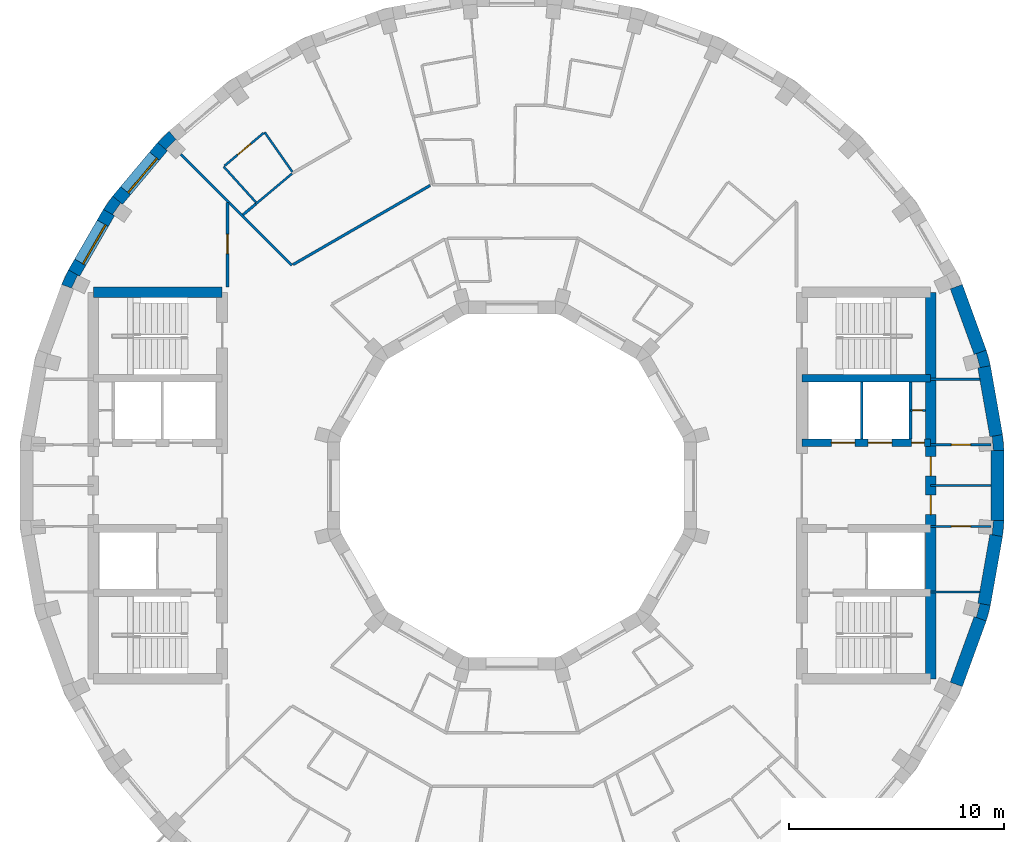
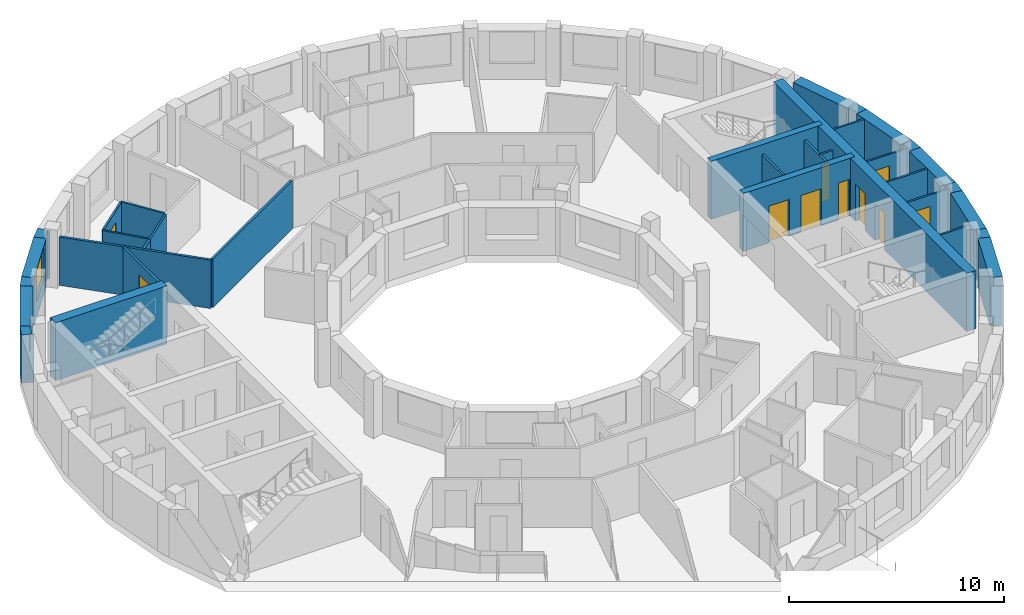
# One storey, part 8 of 12: 34 walls, 10 doors, 2 windows, 12 openings.
"""IFC4 building model written with IfcOpenShell, lengths in metres."""

import ifcopenshell
import ifcopenshell.guid

model = None  # the IFC model being written
_history = None  # IfcOwnerHistory: only IFC2X3 demands one
_inside = {}  # id of a spatial element -> (the spatial element, [elements in it])
_under = {}  # id of a project, library or spatial element -> (it, [spatial elements below it])
_declared = {}  # id of a project -> (the project, [libraries it declares])
_typed = {}  # id of a type object -> (the type object, [elements of that type])
_made_of = {}  # id of a material, layer set ... -> (it, [elements and type objects made of it])


def new_model(schema):
    """Start an empty IFC model of exactly this schema.

    Asked for "IFC4X3", IfcOpenShell would pick the latest addendum, in which some entities
    have other attributes; the version numbers below select the first issue.
    IFC2X3 requires an IfcOwnerHistory on every rooted entity: one is made here for all.
    """
    global model, _history
    if schema == "IFC4X3":
        model = ifcopenshell.file(schema_version=(4, 3, 0, 0))
    else:
        model = ifcopenshell.file(schema=schema)
    _inside.clear()
    _under.clear()
    _declared.clear()
    _typed.clear()
    _made_of.clear()
    _history = None
    if model.schema == "IFC2X3":
        org = make("IfcOrganization", Name="unknown")
        user = make(
            "IfcPersonAndOrganization",
            ThePerson=make("IfcPerson", FamilyName="unknown"),
            TheOrganization=org,
        )
        app = make(
            "IfcApplication",
            ApplicationDeveloper=org,
            Version="unknown",
            ApplicationFullName="unknown",
            ApplicationIdentifier="unknown",
        )
        _history = make(
            "IfcOwnerHistory",
            OwningUser=user,
            OwningApplication=app,
            ChangeAction="ADDED",
            CreationDate=0,
        )
    return model


def make(cls, **values):
    """One entity of the class cls with the attributes given. An attribute that is None is left unset."""
    return model.create_entity(
        cls, **{name: value for name, value in values.items() if value is not None}
    )


def rooted(cls, **values):
    """An entity with a GlobalId (a new one), such as an element, a storey or a relation."""
    return make(cls, GlobalId=ifcopenshell.guid.new(), OwnerHistory=_history, **values)


def si_unit(unit_type, name, prefix=None):
    """IfcSIUnit, for example si_unit("LENGTHUNIT", "METRE", prefix="MILLI")."""
    return make("IfcSIUnit", UnitType=unit_type, Prefix=prefix, Name=name)


def assignment(units):
    """IfcUnitAssignment: the units of a project."""
    return None if units is None else make("IfcUnitAssignment", Units=units)


def point(xyz):
    """IfcCartesianPoint."""
    return None if xyz is None else make("IfcCartesianPoint", Coordinates=xyz)


def direction(xyz):
    """IfcDirection."""
    return None if xyz is None else make("IfcDirection", DirectionRatios=xyz)


def frame(location, z_axis=None, x_axis=None):
    """IfcAxis2Placement3D, a coordinate frame: its origin and axes. An axis left out is left unset."""
    return make(
        "IfcAxis2Placement3D",
        Location=point(location),
        Axis=direction(z_axis),
        RefDirection=direction(x_axis),
    )


def frame_2d(location, x_axis=None):
    """IfcAxis2Placement2D, a coordinate frame in the plane: its origin and x axis."""
    return make(
        "IfcAxis2Placement2D", Location=point(location), RefDirection=direction(x_axis)
    )


def origin():
    """The frame at (0, 0, 0) with its axes left unset."""
    return frame((0.0, 0.0, 0.0))


def place(relative_to, where):
    """IfcLocalPlacement: puts the frame where relative to a parent placement (None: the world)."""
    return make(
        "IfcLocalPlacement", PlacementRelTo=relative_to, RelativePlacement=where
    )


def context(
    kind, dimensions, precision=None, world=None, true_north=None, identifier=None
):
    """IfcGeometricRepresentationContext, for example the 3D "Model" context."""
    return make(
        "IfcGeometricRepresentationContext",
        ContextIdentifier=identifier,
        ContextType=kind,
        CoordinateSpaceDimension=dimensions,
        Precision=precision,
        WorldCoordinateSystem=world,
        TrueNorth=true_north,
    )


def subcontext(parent, identifier, kind, view, scale=None):
    """IfcGeometricRepresentationSubContext, for example "Body" below "Model"."""
    return make(
        "IfcGeometricRepresentationSubContext",
        ContextIdentifier=identifier,
        ContextType=kind,
        ParentContext=parent,
        TargetScale=scale,
        TargetView=view,
    )


def project(units=None, contexts=None):
    """IfcProject with its units and contexts."""
    return rooted(
        "IfcProject",
        Name="project",
        RepresentationContexts=contexts,
        UnitsInContext=assignment(units),
    )


def spatial(cls, under=None, at=None, **own):
    """A site, building, storey or space (cls), placed at a placement, below another one or the project."""
    s = rooted(cls, ObjectPlacement=at, **own)
    if under is not None:
        _under.setdefault(under.id(), (under, []))[1].append(s)
    return s


def polyline(points):
    """IfcPolyline through the points."""
    return make("IfcPolyline", Points=[point(p) for p in points])


def profile(cls, at=None, kind="AREA", **sizes):
    """A parametric profile (cls). Its sizes go by their IFC names, for example OverallWidth=200.0."""
    return make(cls, ProfileType=kind, Position=at, **sizes)


def rectangle(**sizes):
    """IfcRectangleProfileDef."""
    return profile("IfcRectangleProfileDef", **sizes)


def outline(outer, holes=None, kind="AREA"):
    """IfcArbitraryClosedProfileDef: a profile drawn as a closed curve; with holes, ...WithVoids."""
    if holes is None:
        return make("IfcArbitraryClosedProfileDef", ProfileType=kind, OuterCurve=outer)
    return make(
        "IfcArbitraryProfileDefWithVoids",
        ProfileType=kind,
        OuterCurve=outer,
        InnerCurves=holes,
    )


def extrude(swept, where, along, depth):
    """IfcExtrudedAreaSolid: the profile swept, set in the frame where, extruded along a direction by depth."""
    return make(
        "IfcExtrudedAreaSolid",
        SweptArea=swept,
        Position=where,
        ExtrudedDirection=direction(along),
        Depth=depth,
    )


def shape(context_of_items, identifier, shape_type, items):
    """IfcShapeRepresentation: the items that make up one representation, for example the "Body"."""
    return make(
        "IfcShapeRepresentation",
        ContextOfItems=context_of_items,
        RepresentationIdentifier=identifier,
        RepresentationType=shape_type,
        Items=items,
    )


def material(Name=None, Category=None):
    """IfcMaterial."""
    return make("IfcMaterial", Name=Name, Category=Category)


def layer(
    of_material, thickness, ventilated=None, Name=None, Category=None, Priority=None
):
    """IfcMaterialLayer: one layer of a wall or slab, of a material (None: an air gap)."""
    return make(
        "IfcMaterialLayer",
        Material=of_material,
        LayerThickness=thickness,
        IsVentilated=ventilated,
        Name=Name,
        Category=Category,
        Priority=Priority,
    )


def layer_set(layers, Name=None):
    """IfcMaterialLayerSet."""
    return make("IfcMaterialLayerSet", MaterialLayers=layers, LayerSetName=Name)


def made_of(thing, what):
    """Note that an element or type object is made of a material, layer set ...; save() writes the relation."""
    if what is not None:
        _made_of.setdefault(what.id(), (what, []))[1].append(thing)
    return thing


def type_object(cls, material=None, **own):
    """A type object (cls), such as IfcWallType, which elements share."""
    return made_of(rooted(cls, **own), material)


def element(
    cls,
    number,
    at=None,
    inside=None,
    cuts=None,
    type_object=None,
    material=None,
    context=None,
    identifier="Body",
    shape_type=None,
    held_by="IfcProductDefinitionShape",
    body=None,
    shapes=None,
    **own,
):
    """One element of the class cls, such as IfcWall. Its Tag is "e" and its number.

    at: its placement. inside: the storey or other place that contains it. cuts: it is an
    opening in that element (IfcRelVoidsElement). A single representation is given by context,
    identifier, shape_type and body (its items); several are given by shapes. held_by: the class
    of the entity that holds the representations. save() writes the other relations.
    """
    e = rooted(cls, Tag="e%d" % number, ObjectPlacement=at, **own)
    if body is not None:
        shapes = [shape(context, identifier, shape_type, body)]
    if shapes is not None:
        e.Representation = make(held_by, Representations=shapes)
    if inside is not None:
        _inside.setdefault(inside.id(), (inside, []))[1].append(e)
    if cuts is not None:
        rooted(
            "IfcRelVoidsElement", RelatingBuildingElement=cuts, RelatedOpeningElement=e
        )
    if type_object is not None:
        _typed.setdefault(type_object.id(), (type_object, []))[1].append(e)
    return made_of(e, material)


def fill(opening, filler):
    """IfcRelFillsElement: the door or window that sits in an opening."""
    return rooted(
        "IfcRelFillsElement",
        RelatingOpeningElement=opening,
        RelatedBuildingElement=filler,
    )


def aggregate(whole, parts):
    """IfcRelAggregates: a whole, such as a stair, and the parts it consists of."""
    return rooted("IfcRelAggregates", RelatingObject=whole, RelatedObjects=parts)


def save(model, path):
    """Write the relations noted so far, then the file.

    IfcRelAggregates (storeys below a building ...), IfcRelContainedInSpatialStructure (elements
    in a storey), IfcRelDefinesByType, IfcRelAssociatesMaterial and IfcRelDeclares: one each for
    every whole, place, type object, material and project.
    """
    for whole, parts in _under.values():
        aggregate(whole, parts)
    for where, things in _inside.values():
        rooted(
            "IfcRelContainedInSpatialStructure",
            RelatedElements=things,
            RelatingStructure=where,
        )
    for kind, things in _typed.values():
        rooted("IfcRelDefinesByType", RelatedObjects=things, RelatingType=kind)
    for what, things in _made_of.values():
        rooted("IfcRelAssociatesMaterial", RelatedObjects=things, RelatingMaterial=what)
    for by, libraries in _declared.values():
        rooted("IfcRelDeclares", RelatingContext=by, RelatedDefinitions=libraries)
    model.write(path)


model = new_model("IFC4")

# Units and contexts
model_context = context("Model", 3, precision=1e-05, world=origin(), true_north=direction((0.0, 1.0)))
body_context = subcontext(model_context, "Body", "Model", "MODEL_VIEW")
ifc_project = project(units=[si_unit("LENGTHUNIT", "METRE"), si_unit("AREAUNIT", "SQUARE_METRE"), si_unit("VOLUMEUNIT", "CUBIC_METRE"), si_unit("PLANEANGLEUNIT", "RADIAN"), si_unit("MASSUNIT", "GRAM", prefix="KILO")], contexts=[model_context])

# Site, building, storey
site_placement = place(None, origin())
site = spatial("IfcSite", under=ifc_project, at=site_placement, CompositionType="ELEMENT")
building_placement = place(site_placement, origin())
building = spatial("IfcBuilding", under=site, at=building_placement, Name="Saqina Gate Tower", CompositionType="ELEMENT")
storey_placement = place(building_placement, frame((0.0, 0.0, 275.89990234375)))
storey = spatial("IfcBuildingStorey", under=building, at=storey_placement, Name="L79", CompositionType="ELEMENT", Elevation=275.89990234375)

# Walls
ifc_material_1 = material(Name="Brick masonry (buff)", Category="masonry")
wall_type_1 = type_object("IfcWallType", Name="BRICK PIER COPING BUFF", PredefinedType="SOLIDWALL", material=ifc_material_1)
wall_1_placement = place(storey_placement, origin())
element("IfcWall", 1, at=wall_1_placement, inside=storey, type_object=wall_type_1, Name="Pier cap L79 column 1", PredefinedType="SOLIDWALL", context=body_context, shape_type="SweptSolid", body=[
    extrude(outline(polyline([(22.91259765625, 1.625732421875), (22.8466796875, 2.377685546875), (22.255859375, 2.2734375), (22.361083984375, 2.28271484375), (22.417724609375, 1.635009765625), (22.3125, 1.625732421875), (22.91259765625, 1.625732421875)])), origin(), (0.0, 0.0, 1.0), 2.75),
])
wall_2_placement = place(storey_placement, origin())
element("IfcWall", 2, at=wall_2_placement, inside=storey, type_object=wall_type_1, Name="Pier cap L79 column 2", PredefinedType="SOLIDWALL", context=body_context, shape_type="SweptSolid", body=[
    extrude(outline(polyline([(22.0869140625, 6.30859375), (21.52294921875, 6.103515625), (21.625, 6.130859375), (21.793212890625, 5.5029296875), (21.691162109375, 5.4755859375), (22.281982421875, 5.579833984375), (22.0869140625, 6.30859375)])), origin(), (0.0, 0.0, 1.0), 2.75),
])
wall_3_placement = place(storey_placement, origin())
element("IfcWall", 3, at=wall_3_placement, inside=storey, type_object=wall_type_1, Name="Pier cap L79 column 14", PredefinedType="SOLIDWALL", context=body_context, shape_type="SweptSolid", body=[
    extrude(outline(polyline([(-16.5068359375, 15.973388671875), (-16.04736328125, 15.587646484375), (-16.1220703125, 15.662353515625), (-15.662353515625, 16.1220703125), (-15.587646484375, 16.04736328125), (-15.973388671875, 16.5068359375), (-16.5068359375, 15.973388671875)])), origin(), (0.0, 0.0, 1.0), 2.75),
])
wall_4_placement = place(storey_placement, origin())
element("IfcWall", 4, at=wall_4_placement, inside=storey, type_object=wall_type_1, Name="Pier cap L79 column 15", PredefinedType="SOLIDWALL", context=body_context, shape_type="SweptSolid", body=[
    extrude(outline(polyline([(-19.02978515625, 12.8642578125), (-18.51025390625, 12.564208984375), (-18.596923828125, 12.625), (-18.22412109375, 13.157470703125), (-18.137451171875, 13.0966796875), (-18.59716796875, 13.482421875), (-19.02978515625, 12.8642578125)])), origin(), (0.0, 0.0, 1.0), 2.75),
])
wall_5_placement = place(storey_placement, origin())
element("IfcWall", 5, at=wall_5_placement, inside=storey, type_object=wall_type_1, Name="Pier cap L79 column 16", PredefinedType="SOLIDWALL", context=body_context, shape_type="SweptSolid", body=[
    extrude(outline(polyline([(-20.65576171875, 10.048095703125), (-20.974609375, 9.3642578125), (-20.410888671875, 9.1591796875), (-20.506591796875, 9.203857421875), (-20.23193359375, 9.79296875), (-20.135986328125, 9.748291015625), (-20.65576171875, 10.048095703125)])), origin(), (0.0, 0.0, 1.0), 2.75),
])
wall_6_placement = place(storey_placement, origin())
element("IfcWall", 6, at=wall_6_placement, inside=storey, type_object=wall_type_1, Name="Pier cap L79 column 35", PredefinedType="SOLIDWALL", context=body_context, shape_type="SweptSolid", body=[
    extrude(outline(polyline([(22.281982421875, -5.579833984375), (21.691162109375, -5.4755859375), (21.793212890625, -5.5029296875), (21.625, -6.130859375), (21.52294921875, -6.103515625), (22.0869140625, -6.30859375), (22.281982421875, -5.579833984375)])), origin(), (0.0, 0.0, 1.0), 2.75),
])
wall_7_placement = place(storey_placement, origin())
element("IfcWall", 7, at=wall_7_placement, inside=storey, type_object=wall_type_1, Name="Pier cap L79 column 36", PredefinedType="SOLIDWALL", context=body_context, shape_type="SweptSolid", body=[
    extrude(outline(polyline([(22.8466796875, -2.377685546875), (22.91259765625, -1.625732421875), (22.3125, -1.625732421875), (22.417724609375, -1.635009765625), (22.361083984375, -2.28271484375), (22.255859375, -2.2734375), (22.8466796875, -2.377685546875)])), origin(), (0.0, 0.0, 1.0), 2.75),
])

# Wall, opening, door
ifc_material_2 = material(Name="Gypsum board on steel studs", Category="steel")
ifc_layer_1 = layer(ifc_material_2, 0.10009765625)
ifc_layer_set_1 = layer_set([ifc_layer_1], Name="CORE PARTITION")
wall_type_2 = type_object("IfcWallType", Name="CORE PARTITION", PredefinedType="PARTITIONING", material=ifc_layer_set_1)
wall_8_placement = place(storey_placement, frame((18.56005859375, 3.5, 0.0), z_axis=(0.0, 0.0, 1.0), x_axis=(1.0, 0.0, 0.0)))
wall_8 = element("IfcWall", 8, at=wall_8_placement, inside=storey, type_object=wall_type_2, Name="L79-CP-E01", PredefinedType="PARTITIONING", context=body_context, shape_type="SweptSolid", body=[
    extrude(rectangle(XDim=0.68994140625, YDim=0.10009765625, at=frame_2d((0.344970703125, 0.0))), origin(), (0.0, 0.0, 1.0), 2.75),
])
opening_1_placement = place(wall_8_placement, frame((0.10009765625, 0.0, 0.0)))
opening_1 = element("IfcOpeningElement", 9, at=opening_1_placement, cuts=wall_8, Name="Opening G23-D96", PredefinedType="OPENING", context=body_context, shape_type="SweptSolid", body=[
    extrude(rectangle(XDim=0.449951171875, YDim=2.10009765625, at=frame_2d((0.22509765625, 1.050048828125))), frame((0.0, 0.06201171875, 0.0), z_axis=(0.0, -1.0, 0.0), x_axis=(1.0, 0.0, 0.0)), (0.0, 0.0, 1.0), 0.1240234375),
])
ifc_material_3 = material(Name="Steel-framed fire door leaf, EI 60", Category="steel")
door_type_1 = type_object("IfcDoorType", Name="SERVICE ROOM DOOR 450", OperationType="SINGLE_SWING_LEFT", PredefinedType="DOOR", material=ifc_material_3)
door_1_placement = place(opening_1_placement, origin())
door_1 = element("IfcDoor", 10, at=door_1_placement, inside=storey, type_object=door_type_1, Name="L79-CD-E07", OperationType="SINGLE_SWING_RIGHT", OverallHeight=2.10009765625, OverallWidth=0.449951171875, PredefinedType="DOOR", context=body_context, shape_type="SweptSolid", body=[
    extrude(rectangle(XDim=0.449951171875, YDim=2.10009765625, at=frame_2d((0.22509765625, 1.050048828125))), frame((0.0, 0.02490234375, 0.0), z_axis=(0.0, -1.0, 0.0), x_axis=(1.0, 0.0, 0.0)), (0.0, 0.0, 1.0), 0.050048828125),
])
fill(opening_1, door_1)

# Wall
wall_9_placement = place(storey_placement, frame((19.5, 4.949951171875, 0.0), z_axis=(0.0, 0.0, 1.0), x_axis=(1.0, 0.0, 0.0)))
element("IfcWall", 11, at=wall_9_placement, inside=storey, type_object=wall_type_2, Name="L79-CP-E02", PredefinedType="PARTITIONING", context=body_context, shape_type="SweptSolid", body=[
    extrude(rectangle(XDim=2.283935546875, YDim=0.10009765625, at=frame_2d((1.14208984375, 0.0))), origin(), (0.0, 0.0, 1.0), 2.75),
])

# Wall, opening, door
wall_10_placement = place(storey_placement, frame((19.5, 1.89990234375, 0.0), z_axis=(0.0, 0.0, 1.0), x_axis=(1.0, 0.0, 0.0)))
wall_10 = element("IfcWall", 12, at=wall_10_placement, inside=storey, type_object=wall_type_2, Name="L79-CP-E03", PredefinedType="PARTITIONING", context=body_context, shape_type="SweptSolid", body=[
    extrude(rectangle(XDim=2.8125, YDim=0.10009765625, at=frame_2d((1.40625, 0.0))), origin(), (0.0, 0.0, 1.0), 2.75),
])
opening_2_placement = place(wall_10_placement, frame((0.956298828125, 0.0, 0.0)))
opening_2 = element("IfcOpeningElement", 13, at=opening_2_placement, cuts=wall_10, Name="Opening G23-D92", PredefinedType="OPENING", context=body_context, shape_type="SweptSolid", body=[
    extrude(rectangle(XDim=0.89990234375, YDim=2.10009765625, at=frame_2d((0.449951171875, 1.050048828125))), frame((0.0, 0.06201171875, 0.0), z_axis=(0.0, -1.0, 0.0), x_axis=(1.0, 0.0, 0.0)), (0.0, 0.0, 1.0), 0.1240234375),
])
ifc_material_4 = material(Name="Steel-framed fire door leaf, EI 60", Category="steel")
door_type_2 = type_object("IfcDoorType", Name="SERVICE ROOM DOOR 900", OperationType="SINGLE_SWING_LEFT", PredefinedType="DOOR", material=ifc_material_4)
door_2_placement = place(opening_2_placement, origin())
door_2 = element("IfcDoor", 14, at=door_2_placement, inside=storey, type_object=door_type_2, Name="L79-CD-E03", OperationType="SINGLE_SWING_RIGHT", OverallHeight=2.10009765625, OverallWidth=0.89990234375, PredefinedType="DOOR", context=body_context, shape_type="SweptSolid", body=[
    extrude(rectangle(XDim=0.89990234375, YDim=2.10009765625, at=frame_2d((0.449951171875, 1.050048828125))), frame((0.0, 0.02490234375, 0.0), z_axis=(0.0, -1.0, 0.0), x_axis=(1.0, 0.0, 0.0)), (0.0, 0.0, 1.0), 0.050048828125),
])
fill(opening_2, door_2)

# Wall
wall_11_placement = place(storey_placement, frame((19.5, -4.949951171875, 0.0), z_axis=(0.0, 0.0, 1.0), x_axis=(1.0, 0.0, 0.0)))
element("IfcWall", 15, at=wall_11_placement, inside=storey, type_object=wall_type_2, Name="L79-CP-E04", PredefinedType="PARTITIONING", context=body_context, shape_type="SweptSolid", body=[
    extrude(rectangle(XDim=2.283935546875, YDim=0.10009765625, at=frame_2d((1.14208984375, 0.0))), origin(), (0.0, 0.0, 1.0), 2.75),
])

# Wall, opening, door
wall_12_placement = place(storey_placement, frame((19.5, -1.89990234375, 0.0), z_axis=(0.0, 0.0, 1.0), x_axis=(1.0, 0.0, 0.0)))
wall_12 = element("IfcWall", 16, at=wall_12_placement, inside=storey, type_object=wall_type_2, Name="L79-CP-E05", PredefinedType="PARTITIONING", context=body_context, shape_type="SweptSolid", body=[
    extrude(rectangle(XDim=2.8125, YDim=0.10009765625, at=frame_2d((1.40625, 0.0))), origin(), (0.0, 0.0, 1.0), 2.75),
])
opening_3_placement = place(wall_12_placement, frame((0.956298828125, 0.0, 0.0)))
opening_3 = element("IfcOpeningElement", 17, at=opening_3_placement, cuts=wall_12, Name="Opening G23-D94", PredefinedType="OPENING", context=body_context, shape_type="SweptSolid", body=[
    extrude(rectangle(XDim=0.89990234375, YDim=2.10009765625, at=frame_2d((0.449951171875, 1.050048828125))), frame((0.0, 0.06201171875, 0.0), z_axis=(0.0, -1.0, 0.0), x_axis=(1.0, 0.0, 0.0)), (0.0, 0.0, 1.0), 0.1240234375),
])
door_3_placement = place(opening_3_placement, frame((0.89990234375, 0.0, 0.0), z_axis=(0.0, 0.0, 1.0), x_axis=(-1.0, 0.0, 0.0)))
door_3 = element("IfcDoor", 18, at=door_3_placement, inside=storey, type_object=door_type_2, Name="L79-CD-E05", OperationType="SINGLE_SWING_LEFT", OverallHeight=2.10009765625, OverallWidth=0.89990234375, PredefinedType="DOOR", context=body_context, shape_type="SweptSolid", body=[
    extrude(rectangle(XDim=0.89990234375, YDim=2.10009765625, at=frame_2d((0.449951171875, 1.050048828125))), frame((0.0, 0.02490234375, 0.0), z_axis=(0.0, -1.0, 0.0), x_axis=(1.0, 0.0, 0.0)), (0.0, 0.0, 1.0), 0.050048828125),
])
fill(opening_3, door_3)

# Wall
wall_13_placement = place(storey_placement, frame((19.5, 0.0, 0.0), z_axis=(0.0, 0.0, 1.0), x_axis=(1.0, 0.0, 0.0)))
element("IfcWall", 19, at=wall_13_placement, inside=storey, type_object=wall_type_2, Name="L79-CP-E06", PredefinedType="PARTITIONING", context=body_context, shape_type="SweptSolid", body=[
    extrude(rectangle(XDim=2.8125, YDim=0.10009765625, at=frame_2d((1.40625, 0.0))), origin(), (0.0, 0.0, 1.0), 2.75),
])

# Wall, opening, window
ifc_material_5 = material(Name="Brick masonry (buff)", Category="masonry")
ifc_layer_2 = layer(ifc_material_5, 0.60009765625)
ifc_layer_set_2 = layer_set([ifc_layer_2], Name="FW-BRICK-BUFF")
wall_type_3 = type_object("IfcWallType", Name="FW-BRICK-BUFF", PredefinedType="SOLIDWALL", material=ifc_layer_set_2)
wall_14_placement = place(storey_placement, frame((-16.277099609375, 15.780517578125, 0.0), z_axis=(0.0, 0.0, 1.0), x_axis=(-0.64277291405, -0.766056773982, 0.0)))
wall_14 = element("IfcWall", 20, at=wall_14_placement, inside=storey, type_object=wall_type_3, Name="Facade wall L79 facet 14", PredefinedType="SOLIDWALL", context=body_context, shape_type="SweptSolid", body=[
    extrude(rectangle(XDim=3.251708984375, YDim=0.60009765625, at=frame_2d((1.6259765625, 0.0))), origin(), (0.0, 0.0, 1.0), 2.75),
])
opening_4_placement = place(wall_14_placement, frame((0.57568359375, 0.0, 0.89990234375)))
opening_4 = element("IfcOpeningElement", 21, at=opening_4_placement, cuts=wall_14, Name="Opening G23-W12", PredefinedType="OPENING", context=body_context, shape_type="SweptSolid", body=[
    extrude(rectangle(XDim=2.10009765625, YDim=1.800048828125, at=frame_2d((1.050048828125, 0.89990234375))), frame((0.0, 0.31201171875, 0.0), z_axis=(0.0, -1.0, 0.0), x_axis=(1.0, 0.0, 0.0)), (0.0, 0.0, 1.0), 0.6240234375),
])
ifc_material_6 = material(Name="Aluminium glazing", Category="aluminium")
window_type = type_object("IfcWindowType", Name="WN-D", PartitioningType="SINGLE_PANEL", PredefinedType="WINDOW", material=ifc_material_6)
window_1_placement = place(opening_4_placement, origin())
window_1 = element("IfcWindow", 22, at=window_1_placement, inside=storey, type_object=window_type, Name="Window L79 facet 14", OverallHeight=1.800048828125, OverallWidth=2.10009765625, PartitioningType="SINGLE_PANEL", PredefinedType="WINDOW", context=body_context, shape_type="SweptSolid", body=[
    extrude(rectangle(XDim=2.10009765625, YDim=1.800048828125, at=frame_2d((1.050048828125, 0.89990234375))), frame((0.0, 0.179931640625, 0.0), z_axis=(0.0, -1.0, 0.0), x_axis=(1.0, 0.0, 0.0)), (0.0, 0.0, 1.0), 0.06005859375),
])
fill(opening_4, window_1)

wall_15_placement = place(storey_placement, frame((-18.77001953125, 12.71435546875, 0.0), z_axis=(0.0, 0.0, 1.0), x_axis=(-0.500014901547, -0.866016800201, 0.0)))
wall_15 = element("IfcWall", 23, at=wall_15_placement, inside=storey, type_object=wall_type_3, Name="Facade wall L79 facet 15", PredefinedType="SOLIDWALL", context=body_context, shape_type="SweptSolid", body=[
    extrude(rectangle(XDim=3.251953125, YDim=0.60009765625, at=frame_2d((1.6259765625, 0.0))), origin(), (0.0, 0.0, 1.0), 2.75),
])
opening_5_placement = place(wall_15_placement, frame((0.57568359375, 0.0, 0.89990234375)))
opening_5 = element("IfcOpeningElement", 24, at=opening_5_placement, cuts=wall_15, Name="Opening G23-W13", PredefinedType="OPENING", context=body_context, shape_type="SweptSolid", body=[
    extrude(rectangle(XDim=2.10009765625, YDim=1.800048828125, at=frame_2d((1.050048828125, 0.89990234375))), frame((0.0, 0.31201171875, 0.0), z_axis=(0.0, -1.0, 0.0), x_axis=(1.0, 0.0, 0.0)), (0.0, 0.0, 1.0), 0.6240234375),
])
window_2_placement = place(opening_5_placement, origin())
window_2 = element("IfcWindow", 25, at=window_2_placement, inside=storey, type_object=window_type, Name="Window L79 facet 15", OverallHeight=1.800048828125, OverallWidth=2.10009765625, PartitioningType="SINGLE_PANEL", PredefinedType="WINDOW", context=body_context, shape_type="SweptSolid", body=[
    extrude(rectangle(XDim=2.10009765625, YDim=1.800048828125, at=frame_2d((1.050048828125, 0.89990234375))), frame((0.0, 0.179931640625, 0.0), z_axis=(0.0, -1.0, 0.0), x_axis=(1.0, 0.0, 0.0)), (0.0, 0.0, 1.0), 0.06005859375),
])
fill(opening_5, window_2)

# Walls
ifc_material_7 = material(Name="Glazed ceramic tile", Category="ceramic")
ifc_layer_3 = layer(ifc_material_7, 0.60009765625)
ifc_layer_set_3 = layer_set([ifc_layer_3], Name="FW-TILE")
wall_type_4 = type_object("IfcWallType", Name="FW-TILE", PredefinedType="SOLIDWALL", material=ifc_layer_set_3)
for number, where, z_axis, x_axis, name in (
    (26, (21.804931640625, 6.2060546875, 0.0), (0.0, 0.0, 1.0), (-0.342056509473, 0.939679383794, 0.0), "Facade wall L79 facet 2"),
    (27, (20.692626953125, -9.26171875, 0.0), (0.0, 0.0, 1.0), (0.342056509473, 0.939679383794, 0.0), "Facade wall L79 facet 34"),
):
    element("IfcWall", number, at=place(storey_placement, frame(where, z_axis=z_axis, x_axis=x_axis)), inside=storey, type_object=wall_type_4, Name=name, PredefinedType="SOLIDWALL", context=body_context, shape_type="SweptSolid", body=[
        extrude(rectangle(XDim=3.251708984375, YDim=0.60009765625, at=frame_2d((1.6259765625, 0.0))), origin(), (0.0, 0.0, 1.0), 2.75),
    ])
wall_16_placement = place(storey_placement, frame((22.612548828125, -1.625732421875, 0.0), z_axis=(0.0, 0.0, 1.0), x_axis=(0.0, 1.0, 0.0)))
element("IfcWall", 28, at=wall_16_placement, inside=storey, type_object=wall_type_4, Name="Facade wall L79 facet 36", PredefinedType="SOLIDWALL", context=body_context, shape_type="SweptSolid", body=[
    extrude(rectangle(XDim=3.25146484375, YDim=0.60009765625, at=frame_2d((1.625732421875, 0.0))), origin(), (0.0, 0.0, 1.0), 2.75),
])
ifc_material_8 = material(Name="Glazed ceramic tile (dark blue)", Category="ceramic")
ifc_layer_4 = layer(ifc_material_8, 0.60009765625)
ifc_layer_set_4 = layer_set([ifc_layer_4], Name="FW-TILE-CB")
wall_type_5 = type_object("IfcWallType", Name="FW-TILE-CB", PredefinedType="SOLIDWALL", material=ifc_layer_set_4)
wall_17_placement = place(storey_placement, frame((21.986572265625, -5.52783203125, 0.0), z_axis=(0.0, 0.0, 1.0), x_axis=(0.173656842178, 0.984806225186, 0.0)))
element("IfcWall", 29, at=wall_17_placement, inside=storey, type_object=wall_type_5, Name="Facade wall L79 facet 35", PredefinedType="SOLIDWALL", context=body_context, shape_type="SweptSolid", body=[
    extrude(rectangle(XDim=3.251708984375, YDim=0.60009765625, at=frame_2d((1.6259765625, 0.0))), origin(), (0.0, 0.0, 1.0), 2.75),
])
ifc_material_9 = material(Name="Glazed ceramic tile (white)", Category="ceramic")
ifc_layer_5 = layer(ifc_material_9, 0.60009765625)
ifc_layer_set_5 = layer_set([ifc_layer_5], Name="FW-TILE-WH")
wall_type_6 = type_object("IfcWallType", Name="FW-TILE-WH", PredefinedType="SOLIDWALL", material=ifc_layer_set_5)
wall_18_placement = place(storey_placement, frame((22.55126953125, 2.325439453125, 0.0), z_axis=(0.0, 0.0, 1.0), x_axis=(-0.173656842178, 0.984806225186, 0.0)))
element("IfcWall", 30, at=wall_18_placement, inside=storey, type_object=wall_type_6, Name="Facade wall L79 facet 1", PredefinedType="SOLIDWALL", context=body_context, shape_type="SweptSolid", body=[
    extrude(rectangle(XDim=3.251708984375, YDim=0.60009765625, at=frame_2d((1.6259765625, 0.0))), origin(), (0.0, 0.0, 1.0), 2.75),
])
ifc_material_10 = material(Name="Gypsum board on steel studs, 100 mm", Category="steel")
ifc_layer_6 = layer(ifc_material_10, 0.10009765625)
ifc_layer_set_6 = layer_set([ifc_layer_6], Name="PARTITION 100")
wall_type_7 = type_object("IfcWallType", Name="PARTITION 100", PredefinedType="PARTITIONING", material=ifc_layer_set_6)
wall_19_placement = place(storey_placement, frame((-11.521240234375, 16.454345703125, 0.0), z_axis=(0.0, 0.0, 1.0), x_axis=(0.573476881905, -0.819221744047, 0.0)))
element("IfcWall", 31, at=wall_19_placement, inside=storey, type_object=wall_type_7, Name="PARTITION PW3-13", PredefinedType="PARTITIONING", context=body_context, shape_type="SweptSolid", body=[
    extrude(rectangle(XDim=2.254150390625, YDim=0.10009765625, at=frame_2d((1.126953125, 0.0))), origin(), (0.0, 0.0, 1.0), 2.75),
])
wall_20_placement = place(storey_placement, frame((-13.429443359375, 14.85546875, 0.0), z_axis=(0.0, 0.0, 1.0), x_axis=(0.670353689302, -0.742041731468, 0.0)))
element("IfcWall", 32, at=wall_20_placement, inside=storey, type_object=wall_type_7, Name="PARTITION PW3-15", PredefinedType="PARTITIONING", context=body_context, shape_type="SweptSolid", body=[
    extrude(rectangle(XDim=2.251220703125, YDim=0.10009765625, at=frame_2d((1.12548828125, 0.0))), origin(), (0.0, 0.0, 1.0), 2.75),
])
wall_21_placement = place(storey_placement, frame((-11.92626953125, 13.11474609375, 0.0), z_axis=(0.0, 0.0, 1.0), x_axis=(0.766119067307, 0.642698665557, 0.0)))
element("IfcWall", 33, at=wall_21_placement, inside=storey, type_object=wall_type_7, Name="PARTITION PW3-39", PredefinedType="PARTITIONING", context=body_context, shape_type="SweptSolid", body=[
    extrude(rectangle(XDim=2.19384765625, YDim=0.10009765625, at=frame_2d((1.096923828125, 0.0))), origin(), (0.0, 0.0, 1.0), 2.75),
])

# Wall, opening, door
wall_22_placement = place(storey_placement, frame((-13.3896484375, 14.888916015625, 0.0), z_axis=(0.0, 0.0, 1.0), x_axis=(0.765894211942, 0.642966605753, 0.0)))
wall_22 = element("IfcWall", 34, at=wall_22_placement, inside=storey, type_object=wall_type_7, Name="PARTITION PW3-40", PredefinedType="PARTITIONING", context=body_context, shape_type="SweptSolid", body=[
    extrude(rectangle(XDim=2.38720703125, YDim=0.10009765625, at=frame_2d((1.193603515625, 0.0))), origin(), (0.0, 0.0, 1.0), 2.75),
])
opening_6_placement = place(wall_22_placement, frame((0.793212890625, 0.0, 0.0)))
opening_6 = element("IfcOpeningElement", 35, at=opening_6_placement, cuts=wall_22, Name="Opening G23-D19", PredefinedType="OPENING", context=body_context, shape_type="SweptSolid", body=[
    extrude(rectangle(XDim=0.800048828125, YDim=2.10009765625, at=frame_2d((0.39990234375, 1.050048828125))), frame((0.0, 0.06201171875, 0.0), z_axis=(0.0, -1.0, 0.0), x_axis=(1.0, 0.0, 0.0)), (0.0, 0.0, 1.0), 0.1240234375),
])
ifc_material_11 = material(Name="Timber door leaf, 800 mm", Category="wood")
door_type_3 = type_object("IfcDoorType", Name="DOOR 800 TIMBER", OperationType="SINGLE_SWING_LEFT", PredefinedType="DOOR", material=ifc_material_11)
door_4_placement = place(opening_6_placement, origin())
door_4 = element("IfcDoor", 36, at=door_4_placement, inside=storey, type_object=door_type_3, Name="DOOR G23-D19", OperationType="SINGLE_SWING_LEFT", OverallHeight=2.10009765625, OverallWidth=0.800048828125, PredefinedType="DOOR", context=body_context, shape_type="SweptSolid", body=[
    extrude(rectangle(XDim=0.800048828125, YDim=2.10009765625, at=frame_2d((0.39990234375, 1.050048828125))), frame((0.0, 0.02490234375, 0.0), z_axis=(0.0, -1.0, 0.0), x_axis=(1.0, 0.0, 0.0)), (0.0, 0.0, 1.0), 0.050048828125),
])
fill(opening_6, door_4)

# Walls
ifc_material_12 = material(Name="Gypsum board on steel studs, 125 mm, fire rated", Category="steel")
ifc_layer_7 = layer(ifc_material_12, 0.125)
ifc_layer_set_7 = layer_set([ifc_layer_7], Name="PARTITION EI 30 125")
wall_type_8 = type_object("IfcWallType", Name="PARTITION EI 30 125", PredefinedType="PARTITIONING", material=ifc_layer_set_7)
wall_23_placement = place(storey_placement, frame((-15.425537109375, 15.425537109375, 0.0), z_axis=(0.0, 0.0, 1.0), x_axis=(0.707106781187, -0.707106781187, 0.0)))
element("IfcWall", 37, at=wall_23_placement, inside=storey, type_object=wall_type_8, Name="PARTITION PW1-07", PredefinedType="PARTITIONING", context=body_context, shape_type="SweptSolid", body=[
    extrude(rectangle(XDim=7.310791015625, YDim=0.125, at=frame_2d((3.6552734375, 0.0))), origin(), (0.0, 0.0, 1.0), 2.75),
])
wall_24_placement = place(storey_placement, frame((-10.201904296875, 10.287353515625, 0.0), z_axis=(0.0, 0.0, 1.0), x_axis=(0.866028642731, 0.499994389938, 0.0)))
element("IfcWall", 38, at=wall_24_placement, inside=storey, type_object=wall_type_8, Name="PARTITION PW1-29", PredefinedType="PARTITIONING", context=body_context, shape_type="SweptSolid", body=[
    extrude(rectangle(XDim=7.3828125, YDim=0.125, at=frame_2d((3.69140625, 0.0))), origin(), (0.0, 0.0, 1.0), 2.75),
])
wall_25_placement = place(storey_placement, frame((-12.522216796875, 12.614013671875, 0.0), z_axis=(0.0, 0.0, 1.0), x_axis=(0.765618354165, 0.643295061201, 0.0)))
element("IfcWall", 39, at=wall_25_placement, inside=storey, type_object=wall_type_8, Name="PARTITION PW1-31", PredefinedType="PARTITIONING", context=body_context, shape_type="SweptSolid", body=[
    extrude(rectangle(XDim=0.7783203125, YDim=0.125, at=frame_2d((0.38916015625, 0.0))), origin(), (0.0, 0.0, 1.0), 2.75),
])

# Wall, opening, door
wall_26_placement = place(storey_placement, frame((-13.25, 9.25, 0.0), z_axis=(0.0, 0.0, 1.0), x_axis=(0.0, 1.0, 0.0)))
wall_26 = element("IfcWall", 40, at=wall_26_placement, inside=storey, type_object=wall_type_8, Name="PARTITION PW1-42", PredefinedType="PARTITIONING", context=body_context, shape_type="SweptSolid", body=[
    extrude(rectangle(XDim=3.9375, YDim=0.125, at=frame_2d((1.96875, 0.0))), origin(), (0.0, 0.0, 1.0), 2.75),
])
opening_7_placement = place(wall_26_placement, frame((1.550048828125, 0.0, 0.0)))
opening_7 = element("IfcOpeningElement", 41, at=opening_7_placement, cuts=wall_26, Name="Opening G23-D20", PredefinedType="OPENING", context=body_context, shape_type="SweptSolid", body=[
    extrude(rectangle(XDim=0.89990234375, YDim=2.10009765625, at=frame_2d((0.449951171875, 1.050048828125))), frame((0.0, 0.074462890625, 0.0), z_axis=(0.0, -1.0, 0.0), x_axis=(1.0, 0.0, 0.0)), (0.0, 0.0, 1.0), 0.14892578125),
])
ifc_material_13 = material(Name="Fire door leaf EI 30, 900 mm")
door_type_4 = type_object("IfcDoorType", Name="DOOR 900 EI 30", OperationType="SINGLE_SWING_LEFT", PredefinedType="DOOR", material=ifc_material_13)
door_5_placement = place(opening_7_placement, origin())
door_5 = element("IfcDoor", 42, at=door_5_placement, inside=storey, type_object=door_type_4, Name="DOOR G23-D20", OperationType="SINGLE_SWING_RIGHT", OverallHeight=2.10009765625, OverallWidth=0.89990234375, PredefinedType="DOOR", context=body_context, shape_type="SweptSolid", body=[
    extrude(rectangle(XDim=0.89990234375, YDim=2.10009765625, at=frame_2d((0.449951171875, 1.050048828125))), frame((0.0, 0.02490234375, 0.0), z_axis=(0.0, -1.0, 0.0), x_axis=(1.0, 0.0, 0.0)), (0.0, 0.0, 1.0), 0.050048828125),
])
fill(opening_7, door_5)

# Walls
ifc_material_14 = material(Name="Autoclaved aerated concrete block", Category="concrete")
ifc_layer_8 = layer(ifc_material_14, 0.1201171875)
ifc_layer_set_8 = layer_set([ifc_layer_8], Name="SHAFT PARTITION")
wall_type_9 = type_object("IfcWallType", Name="SHAFT PARTITION", PredefinedType="PARTITIONING", material=ifc_layer_set_8)
for number, where, z_axis, x_axis, name in (
    (43, (16.280029296875, 2.175048828125, 0.0), (0.0, 0.0, 1.0), (0.0, 1.0, 0.0), "L79-CP-E07"),
    (44, (18.56005859375, 2.175048828125, 0.0), (0.0, 0.0, 1.0), (0.0, 1.0, 0.0), "L79-CP-E08"),
):
    element("IfcWall", number, at=place(storey_placement, frame(where, z_axis=z_axis, x_axis=x_axis)), inside=storey, type_object=wall_type_9, Name=name, PredefinedType="PARTITIONING", context=body_context, shape_type="SweptSolid", body=[
        extrude(rectangle(XDim=2.64990234375, YDim=0.1201171875, at=frame_2d((1.324951171875, 0.0))), origin(), (0.0, 0.0, 1.0), 2.75),
    ])
ifc_material_15 = material(Name="Concrete C60/75", Category="concrete")
ifc_layer_9 = layer(ifc_material_15, 0.35009765625)
ifc_layer_set_9 = layer_set([ifc_layer_9], Name="Concrete C60/75")
wall_type_10 = type_object("IfcWallType", Name="STR-CORE WALL-D-I", PredefinedType="SHEAR", material=ifc_layer_set_9)
wall_27_placement = place(storey_placement, frame((13.5, 5.0, 0.0), z_axis=(0.0, 0.0, 1.0), x_axis=(1.0, 0.0, 0.0)))
element("IfcWall", 45, at=wall_27_placement, inside=storey, type_object=wall_type_10, Name="CORE WALL L79 E-X1", PredefinedType="SHEAR", context=body_context, shape_type="SweptSolid", body=[
    extrude(rectangle(XDim=6.0, YDim=0.35009765625, at=frame_2d((3.0, 0.0))), origin(), (0.0, 0.0, 1.0), 3.300048828125),
])

# Wall, openings, doors
wall_28_placement = place(storey_placement, frame((13.5, 2.0, 0.0), z_axis=(0.0, 0.0, 1.0), x_axis=(1.0, 0.0, 0.0)))
wall_28 = element("IfcWall", 46, at=wall_28_placement, inside=storey, type_object=wall_type_10, Name="CORE WALL L79 E-L1", PredefinedType="SHEAR", context=body_context, shape_type="SweptSolid", body=[
    extrude(rectangle(XDim=6.0, YDim=0.35009765625, at=frame_2d((3.0, 0.0))), origin(), (0.0, 0.0, 1.0), 3.300048828125),
])
opening_8_placement = place(wall_28_placement, frame((1.3701171875, 0.0, 0.0)))
opening_8 = element("IfcOpeningElement", 47, at=opening_8_placement, cuts=wall_28, Name="Opening G23-LD1", PredefinedType="OPENING", context=body_context, shape_type="SweptSolid", body=[
    extrude(rectangle(XDim=1.10009765625, YDim=2.10009765625, at=frame_2d((0.550048828125, 1.050048828125))), frame((0.0, 0.18701171875, 0.0), z_axis=(0.0, -1.0, 0.0), x_axis=(1.0, 0.0, 0.0)), (0.0, 0.0, 1.0), 0.3740234375),
])
opening_9_placement = place(wall_28_placement, frame((3.090087890625, 0.0, 0.0)))
opening_9 = element("IfcOpeningElement", 48, at=opening_9_placement, cuts=wall_28, Name="Opening G23-LD2", PredefinedType="OPENING", context=body_context, shape_type="SweptSolid", body=[
    extrude(rectangle(XDim=1.10009765625, YDim=2.10009765625, at=frame_2d((0.550048828125, 1.050048828125))), frame((0.0, 0.18701171875, 0.0), z_axis=(0.0, -1.0, 0.0), x_axis=(1.0, 0.0, 0.0)), (0.0, 0.0, 1.0), 0.3740234375),
])
opening_10_placement = place(wall_28_placement, frame((5.10498046875, 0.0, 0.0)))
opening_10 = element("IfcOpeningElement", 49, at=opening_10_placement, cuts=wall_28, Name="Opening G23-D90", PredefinedType="OPENING", context=body_context, shape_type="SweptSolid", body=[
    extrude(rectangle(XDim=0.60009765625, YDim=2.10009765625, at=frame_2d((0.300048828125, 1.050048828125))), frame((0.0, 0.18701171875, 0.0), z_axis=(0.0, -1.0, 0.0), x_axis=(1.0, 0.0, 0.0)), (0.0, 0.0, 1.0), 0.3740234375),
])
ifc_material_16 = material(Name="Stainless steel", Category="steel")
door_type_5 = type_object("IfcDoorType", Name="LANDING DOOR", OperationType="DOUBLE_DOOR_SLIDING", PredefinedType="DOOR", material=ifc_material_16)
door_6_placement = place(opening_8_placement, origin())
door_6 = element("IfcDoor", 50, at=door_6_placement, inside=storey, type_object=door_type_5, Name="LANDING DOOR HR1", OperationType="DOUBLE_DOOR_SLIDING", OverallHeight=2.10009765625, OverallWidth=1.10009765625, PredefinedType="DOOR", context=body_context, shape_type="SweptSolid", body=[
    extrude(rectangle(XDim=1.10009765625, YDim=2.10009765625, at=frame_2d((0.550048828125, 1.050048828125))), frame((0.0, 0.02490234375, 0.0), z_axis=(0.0, -1.0, 0.0), x_axis=(1.0, 0.0, 0.0)), (0.0, 0.0, 1.0), 0.050048828125),
])
fill(opening_8, door_6)
door_7_placement = place(opening_9_placement, origin())
door_7 = element("IfcDoor", 51, at=door_7_placement, inside=storey, type_object=door_type_5, Name="LANDING DOOR HR2", OperationType="DOUBLE_DOOR_SLIDING", OverallHeight=2.10009765625, OverallWidth=1.10009765625, PredefinedType="DOOR", context=body_context, shape_type="SweptSolid", body=[
    extrude(rectangle(XDim=1.10009765625, YDim=2.10009765625, at=frame_2d((0.550048828125, 1.050048828125))), frame((0.0, 0.02490234375, 0.0), z_axis=(0.0, -1.0, 0.0), x_axis=(1.0, 0.0, 0.0)), (0.0, 0.0, 1.0), 0.050048828125),
])
fill(opening_9, door_7)
ifc_material_17 = material(Name="Steel-framed fire door leaf, EI 60", Category="steel")
door_type_6 = type_object("IfcDoorType", Name="SERVICE ROOM DOOR 600", OperationType="SINGLE_SWING_LEFT", PredefinedType="DOOR", material=ifc_material_17)
door_8_placement = place(opening_10_placement, origin())
door_8 = element("IfcDoor", 52, at=door_8_placement, inside=storey, type_object=door_type_6, Name="L79-CD-E01", OperationType="SINGLE_SWING_RIGHT", OverallHeight=2.10009765625, OverallWidth=0.60009765625, PredefinedType="DOOR", context=body_context, shape_type="SweptSolid", body=[
    extrude(rectangle(XDim=0.60009765625, YDim=2.10009765625, at=frame_2d((0.300048828125, 1.050048828125))), frame((0.0, 0.02490234375, 0.0), z_axis=(0.0, -1.0, 0.0), x_axis=(1.0, 0.0, 0.0)), (0.0, 0.0, 1.0), 0.050048828125),
])
fill(opening_10, door_8)

ifc_material_18 = material(Name="Concrete C60/75", Category="concrete")
ifc_layer_10 = layer(ifc_material_18, 0.5)
ifc_layer_set_10 = layer_set([ifc_layer_10], Name="Concrete C60/75")
wall_type_11 = type_object("IfcWallType", Name="STR-CORE WALL-D-O", PredefinedType="SHEAR", material=ifc_layer_set_10)
wall_29_placement = place(storey_placement, frame((19.5, -9.0, 0.0), z_axis=(0.0, 0.0, 1.0), x_axis=(0.0, 1.0, 0.0)))
wall_29 = element("IfcWall", 53, at=wall_29_placement, inside=storey, type_object=wall_type_11, Name="CORE WALL L79 E-W2", PredefinedType="SHEAR", context=body_context, shape_type="SweptSolid", body=[
    extrude(rectangle(XDim=18.0, YDim=0.5, at=frame_2d((9.0, 0.0))), origin(), (0.0, 0.0, 1.0), 3.300048828125),
])
opening_11_placement = place(wall_29_placement, frame((9.449951171875, 0.0, 0.0)))
opening_11 = element("IfcOpeningElement", 54, at=opening_11_placement, cuts=wall_29, Name="Opening G23-D93", PredefinedType="OPENING", context=body_context, shape_type="SweptSolid", body=[
    extrude(rectangle(XDim=0.89990234375, YDim=2.10009765625, at=frame_2d((0.449951171875, 1.050048828125))), frame((0.0, 0.261962890625, 0.0), z_axis=(0.0, -1.0, 0.0), x_axis=(1.0, 0.0, 0.0)), (0.0, 0.0, 1.0), 0.52392578125),
])
opening_12_placement = place(wall_29_placement, frame((7.64990234375, 0.0, 0.0)))
opening_12 = element("IfcOpeningElement", 55, at=opening_12_placement, cuts=wall_29, Name="Opening G23-D95", PredefinedType="OPENING", context=body_context, shape_type="SweptSolid", body=[
    extrude(rectangle(XDim=0.89990234375, YDim=2.10009765625, at=frame_2d((0.449951171875, 1.050048828125))), frame((0.0, 0.261962890625, 0.0), z_axis=(0.0, -1.0, 0.0), x_axis=(1.0, 0.0, 0.0)), (0.0, 0.0, 1.0), 0.52392578125),
])
door_9_placement = place(opening_11_placement, frame((0.89990234375, 0.0, 0.0), z_axis=(0.0, 0.0, 1.0), x_axis=(-1.0, 0.0, 0.0)))
door_9 = element("IfcDoor", 56, at=door_9_placement, inside=storey, type_object=door_type_2, Name="L79-CD-E04", OperationType="SINGLE_SWING_LEFT", OverallHeight=2.10009765625, OverallWidth=0.89990234375, PredefinedType="DOOR", context=body_context, shape_type="SweptSolid", body=[
    extrude(rectangle(XDim=0.89990234375, YDim=2.10009765625, at=frame_2d((0.449951171875, 1.050048828125))), frame((0.0, 0.02490234375, 0.0), z_axis=(0.0, -1.0, 0.0), x_axis=(1.0, 0.0, 0.0)), (0.0, 0.0, 1.0), 0.050048828125),
])
fill(opening_11, door_9)
door_10_placement = place(opening_12_placement, frame((0.89990234375, 0.0, 0.0), z_axis=(0.0, 0.0, 1.0), x_axis=(-1.0, 0.0, 0.0)))
door_10 = element("IfcDoor", 57, at=door_10_placement, inside=storey, type_object=door_type_2, Name="L79-CD-E06", OperationType="SINGLE_SWING_RIGHT", OverallHeight=2.10009765625, OverallWidth=0.89990234375, PredefinedType="DOOR", context=body_context, shape_type="SweptSolid", body=[
    extrude(rectangle(XDim=0.89990234375, YDim=2.10009765625, at=frame_2d((0.449951171875, 1.050048828125))), frame((0.0, 0.02490234375, 0.0), z_axis=(0.0, -1.0, 0.0), x_axis=(1.0, 0.0, 0.0)), (0.0, 0.0, 1.0), 0.050048828125),
])
fill(opening_12, door_10)

# Wall
wall_30_placement = place(storey_placement, frame((-13.5, 9.0, 0.0), z_axis=(0.0, 0.0, 1.0), x_axis=(-1.0, 0.0, 0.0)))
element("IfcWall", 58, at=wall_30_placement, inside=storey, type_object=wall_type_11, Name="CORE WALL L79 W-NE", PredefinedType="SHEAR", context=body_context, shape_type="SweptSolid", body=[
    extrude(rectangle(XDim=6.0, YDim=0.5, at=frame_2d((3.0, 0.0))), origin(), (0.0, 0.0, 1.0), 3.300048828125),
])

save(model, "model.ifc")
